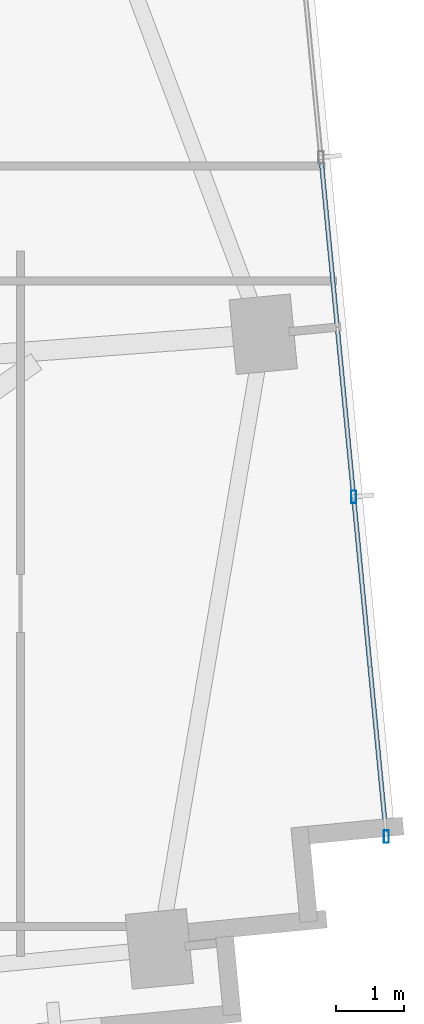
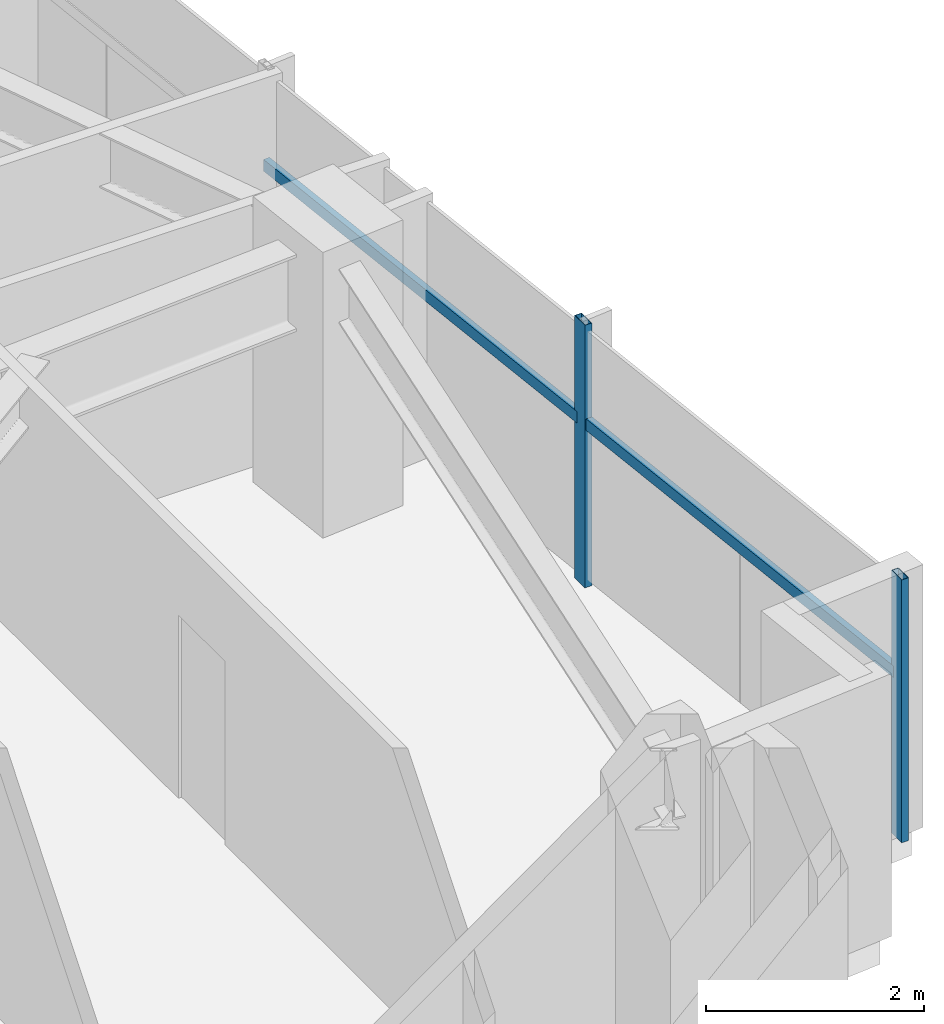
# One storey, part 14 of 25: 4 members, 1 element without a shape of its own.
"""IFC4 building model written with IfcOpenShell, lengths in metres."""

from ifc_helpers import new_model, si_unit, direction, frame, origin, origin_2d, place, context, subcontext, project, spatial, hollow_rectangle, extrude, source, transform, mapped, material, material_profile, profile_set, type_object, type_shapes, element, aggregate, save


model = new_model("IFC4")

# Units and contexts
model_context = context("Model", 3, precision=1e-05, world=origin(), true_north=direction((0.0, 1.0)))
body_context = subcontext(model_context, "Body", "Model", "MODEL_VIEW")
ifc_project = project(units=[si_unit("LENGTHUNIT", "METRE"), si_unit("AREAUNIT", "SQUARE_METRE"), si_unit("VOLUMEUNIT", "CUBIC_METRE"), si_unit("PLANEANGLEUNIT", "RADIAN"), si_unit("MASSUNIT", "GRAM", prefix="KILO")], contexts=[model_context])

# Site, building, storey
site_placement = place(None, origin())
site = spatial("IfcSite", under=ifc_project, at=site_placement, CompositionType="ELEMENT")
building_placement = place(site_placement, origin())
building = spatial("IfcBuilding", under=site, at=building_placement, Name="Astriad Promenade Condominiums", CompositionType="ELEMENT")
storey_placement = place(building_placement, frame((0.0, 0.0, 81.0)))
storey = spatial("IfcBuildingStorey", under=building, at=storey_placement, Name="L22", CompositionType="ELEMENT", Elevation=81.0)

# Curtain wall, members
ifc_material_1 = material(Name="Anodised aluminium Black Dark Glass Unitised", Category="aluminium")
curtain_wall_type = type_object("IfcCurtainWallType", Name="CW-B2-DARK", PredefinedType="USERDEFINED", material=ifc_material_1)
curtain_wall_placement = place(storey_placement, origin())
curtain_wall = element("IfcCurtainWall", 1, at=curtain_wall_placement, inside=storey, type_object=curtain_wall_type, Name="CW-L22-E", ObjectType="UNITISED_CURTAIN_WALL", PredefinedType="USERDEFINED")
ifc_material_2 = material(Name="Anodised aluminium 6063-T6 Black", Category="aluminium")
ifc_material_profile_1 = material_profile(ifc_material_2, hollow_rectangle(XDim=0.074951171875, YDim=0.18505859375, WallThickness=0.00439453125, at=origin_2d()), Name="ALU-MUL-75X185")
ifc_profile_set_1 = profile_set([ifc_material_profile_1], Name="Anodised aluminium 6063-T6 Black")
member_type_1 = type_object("IfcMemberType", Name="MUL-ALU-MUL-75X185", PredefinedType="MULLION", material=ifc_profile_set_1)
shared_shape_1 = source(origin(), body_context, "Body", "SweptSolid", [
    extrude(hollow_rectangle(XDim=0.074951171875, YDim=0.18505859375, WallThickness=0.00439453125, at=origin_2d()), origin(), (0.0, 0.0, 1.0), 2.93994140625),
])
type_shapes(member_type_1, [shared_shape_1])
member_1_placement = place(storey_placement, frame((68.972900390625, 16.6552734375, 0.0), z_axis=(0.0, 0.0, 1.0), x_axis=(1.0, 0.0, 0.0)))
member_1 = element("IfcMember", 2, at=member_1_placement, type_object=member_type_1, Name="CW-L22-E-MUL-02", PredefinedType="MULLION", context=body_context, shape_type="MappedRepresentation", body=[
    mapped(shared_shape_1, transform((0.0, 0.0, 0.0), scale=1.0)),
])
member_2_placement = place(storey_placement, frame((69.4521484375, 11.67822265625, 0.0), z_axis=(0.0, 0.0, 1.0), x_axis=(1.0, 0.0, 0.0)))
member_2 = element("IfcMember", 3, at=member_2_placement, type_object=member_type_1, Name="CW-L22-E-MUL-03", PredefinedType="MULLION", context=body_context, shape_type="MappedRepresentation", body=[
    mapped(shared_shape_1, transform((0.0, 0.0, 0.0), scale=1.0)),
])
ifc_material_profile_2 = material_profile(ifc_material_2, hollow_rectangle(XDim=0.06494140625, YDim=0.1298828125, WallThickness=0.00390625, at=origin_2d()), Name="ALU-TRN-65X130")
ifc_profile_set_2 = profile_set([ifc_material_profile_2], Name="Anodised aluminium 6063-T6 Black")
member_type_2 = type_object("IfcMemberType", Name="TRN-ALU-TRN-65X130", PredefinedType="USERDEFINED", material=ifc_profile_set_2)
shared_shape_2 = source(origin(), body_context, "Body", "SweptSolid", [
    extrude(hollow_rectangle(XDim=0.06494140625, YDim=0.1298828125, WallThickness=0.00390625, at=origin_2d()), origin(), (0.0, 0.0, 1.0), 5.0),
])
member_3_placement = place(storey_placement, frame((68.972900390625, 16.6552734375, 1.82275390625), z_axis=(0.095848242264, -0.995395958629, 0.0), x_axis=(0.995395958629, 0.095848242264, 0.0)))
member_3 = element("IfcMember", 4, at=member_3_placement, type_object=member_type_2, Name="CW-L22-E-TRN-02-0", ObjectType="TRANSOM", PredefinedType="USERDEFINED", context=body_context, shape_type="MappedRepresentation", body=[
    mapped(shared_shape_2, transform((0.0, 0.0, 0.0), scale=1.0)),
])
shared_shape_3 = source(origin(), body_context, "Body", "SweptSolid", [
    extrude(hollow_rectangle(XDim=0.06494140625, YDim=0.1298828125, WallThickness=0.00390625, at=origin_2d()), origin(), (0.0, 0.0, 1.0), 4.999755859375),
])
type_shapes(member_type_2, [shared_shape_2, shared_shape_3])
member_4_placement = place(storey_placement, frame((68.493896484375, 21.632080078125, 1.82275390625), z_axis=(0.095804519461, -0.995400167797, 0.0), x_axis=(0.995400167797, 0.095804519461, 0.0)))
member_4 = element("IfcMember", 5, at=member_4_placement, type_object=member_type_2, Name="CW-L22-E-TRN-01-0", ObjectType="TRANSOM", PredefinedType="USERDEFINED", context=body_context, shape_type="MappedRepresentation", body=[
    mapped(shared_shape_3, transform((0.0, 0.0, 0.0), scale=1.0)),
])
aggregate(curtain_wall, [member_1, member_2, member_4, member_3])

save(model, "model.ifc")
